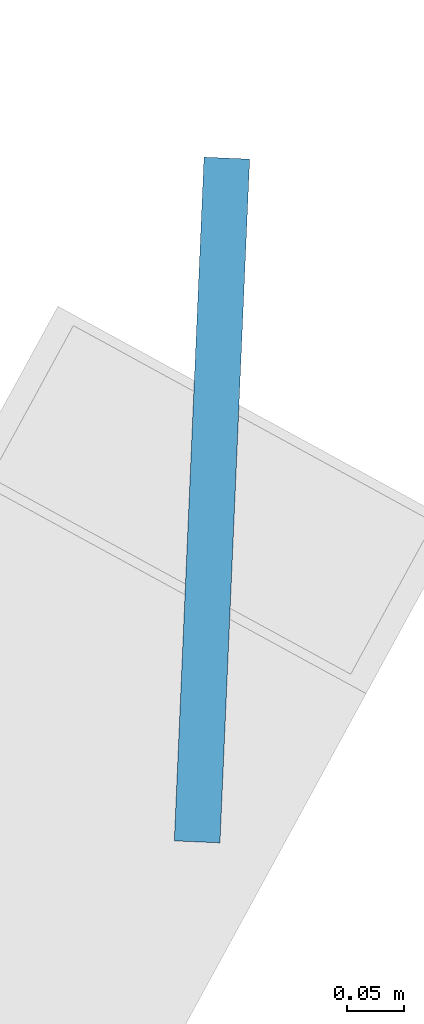
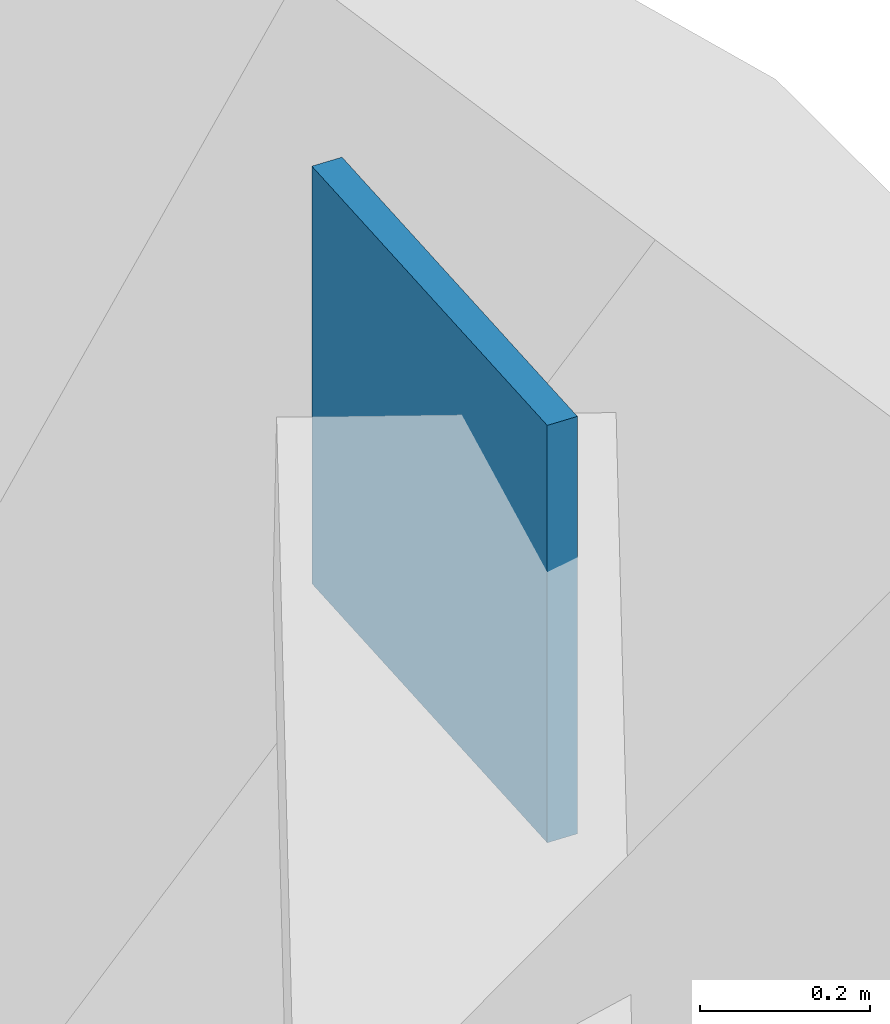
# One storey, part 7 of 12: 1 plate.
"""IFC4 building model written with IfcOpenShell, lengths in metres."""

from ifc_helpers import new_model, si_unit, direction, frame, origin, origin_2d, place, context, subcontext, project, spatial, rectangle, extrude, source, transform, mapped, material, layer, layer_set, type_object, element, save


model = new_model("IFC4")

# Units and contexts
model_context = context("Model", 3, precision=1e-05, world=origin(), true_north=direction((0.0, 1.0)))
body_context = subcontext(model_context, "Body", "Model", "MODEL_VIEW")
ifc_project = project(units=[si_unit("LENGTHUNIT", "METRE"), si_unit("AREAUNIT", "SQUARE_METRE"), si_unit("VOLUMEUNIT", "CUBIC_METRE"), si_unit("PLANEANGLEUNIT", "RADIAN"), si_unit("MASSUNIT", "GRAM", prefix="KILO")], contexts=[model_context])

# Site, building, storey
site_placement = place(None, origin())
site = spatial("IfcSite", under=ifc_project, at=site_placement, CompositionType="ELEMENT")
building_placement = place(site_placement, origin())
building = spatial("IfcBuilding", under=site, at=building_placement, Name="Vardaveli Station Tower", CompositionType="ELEMENT")
storey_placement = place(building_placement, frame((0.0, 0.0, 166.800048828125)))
storey = spatial("IfcBuildingStorey", under=building, at=storey_placement, Name="L43", CompositionType="ELEMENT", Elevation=166.800048828125)

# Plate
ifc_material = material(Name="Structural steel S460M", Category="steel")
ifc_layer = layer(ifc_material, 0.0400390625, Name="Structural steel S460M")
ifc_layer_set = layer_set([ifc_layer], Name="Structural steel S460M")
plate_type = type_object("IfcPlateType", Name="PLT-CAP-40", PredefinedType="USERDEFINED", material=ifc_layer_set)
shared_shape = source(origin(), body_context, "Body", "SweptSolid", [
    extrude(rectangle(XDim=0.60009765625, YDim=0.0400390625, at=origin_2d()), origin(), (0.0, 0.0, 1.0), 0.60009765625),
])
plate_placement = place(storey_placement, frame((56.41845703125, 36.5400390625, 4.099853515625), z_axis=(0.0, 0.0, 1.0), x_axis=(0.043445019893, 0.999055819385, 0.0)))
element("IfcPlate", 1, at=plate_placement, inside=storey, type_object=plate_type, Name="PLT-L43-BLTBT-08", ObjectType="GUSSET PLATE", PredefinedType="USERDEFINED", context=body_context, shape_type="MappedRepresentation", body=[
    mapped(shared_shape, transform((0.0, 0.0, 0.0), scale=1.0)),
])

save(model, "model.ifc")
